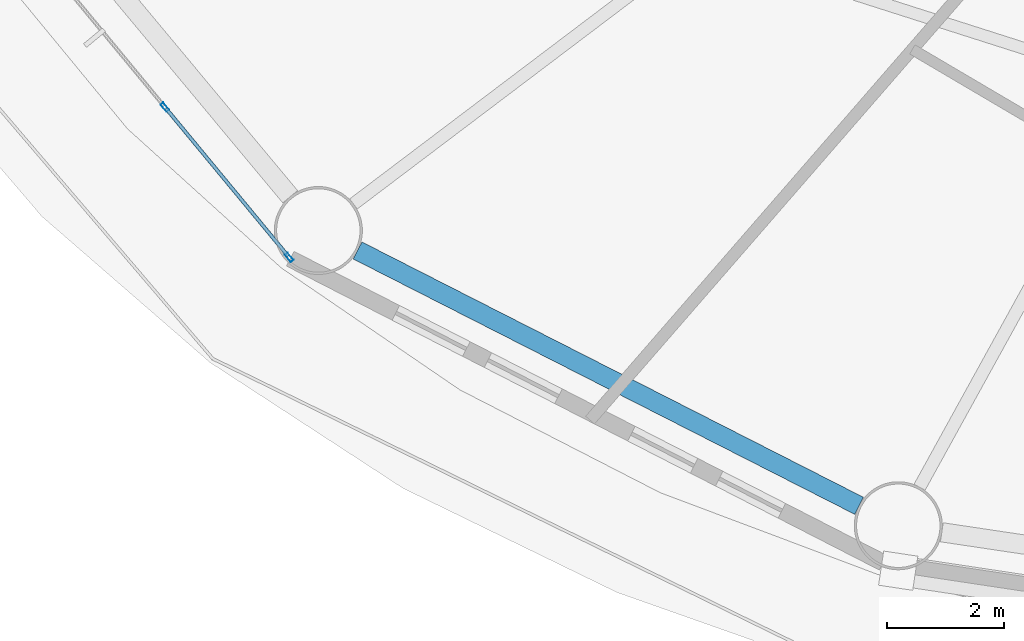
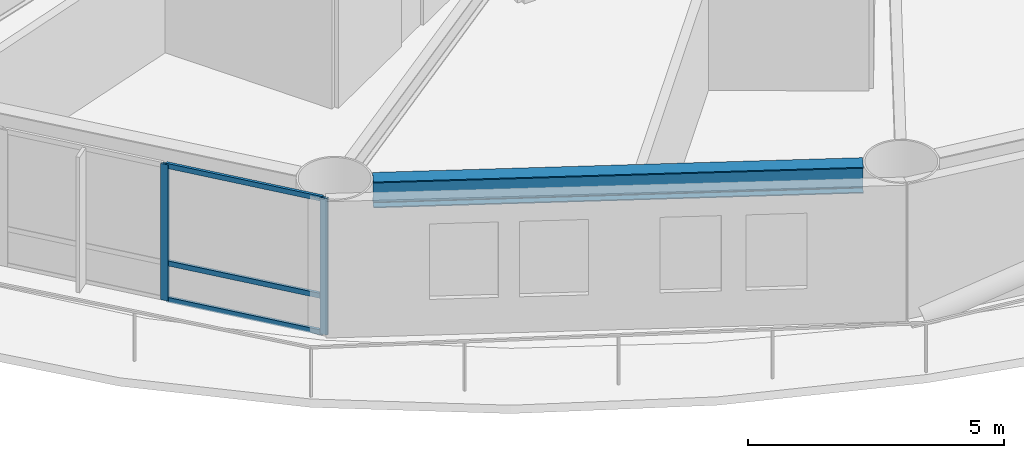
# One storey, part 2 of 27: 5 members, 1 beam, 1 element without a shape of its own.
"""IFC4 building model written with IfcOpenShell, lengths in metres."""

from ifc_helpers import new_model, si_unit, direction, frame, origin, origin_2d, place, context, subcontext, project, spatial, hollow_rectangle, i_section, extrude, material, layer, layer_set, material_profile, profile_set, type_object, element, aggregate, save


model = new_model("IFC4")

# Units and contexts
model_context = context("Model", 3, precision=1e-05, world=origin(), true_north=direction((0.0, 1.0)))
body_context = subcontext(model_context, "Body", "Model", "MODEL_VIEW")
ifc_project = project(units=[si_unit("LENGTHUNIT", "METRE"), si_unit("AREAUNIT", "SQUARE_METRE"), si_unit("VOLUMEUNIT", "CUBIC_METRE"), si_unit("PLANEANGLEUNIT", "RADIAN"), si_unit("MASSUNIT", "GRAM", prefix="KILO")], contexts=[model_context])

# Site, building, storey
site_placement = place(None, origin())
site = spatial("IfcSite", under=ifc_project, at=site_placement, CompositionType="ELEMENT")
building_placement = place(site_placement, origin())
building = spatial("IfcBuilding", under=site, at=building_placement, Name="Sarneth Arch Tower", CompositionType="ELEMENT")
storey_placement = place(building_placement, frame((0.0, 0.0, 75.0)))
storey = spatial("IfcBuildingStorey", under=building, at=storey_placement, Name="L18", CompositionType="ELEMENT", Elevation=75.0)

# Beam
ifc_material_1 = material(Name="Steel S355", Category="steel")
ifc_material_profile_1 = material_profile(ifc_material_1, i_section(OverallWidth=0.326904296875, OverallDepth=0.6220703125, WebThickness=0.015380859375, FlangeThickness=0.0244140625, FilletRadius=0.01904296875, at=origin_2d()), Name="W610x195")
ifc_profile_set_1 = profile_set([ifc_material_profile_1], Name="Steel S355")
beam_type = type_object("IfcBeamType", Name="BM-SPAN-610A", PredefinedType="SPANDREL", material=ifc_profile_set_1)
beam_placement = place(storey_placement, frame((26.9716796875, 25.2548828125, 2.93896484375), z_axis=(0.891169106887, -0.453671271882, 0.0), x_axis=(0.453671271882, 0.891169106887, 0.0)))
element("IfcBeam", 1, at=beam_placement, inside=storey, type_object=beam_type, Name="L18 Perimeter spandrel beam 11", PredefinedType="SPANDREL", context=body_context, shape_type="SweptSolid", body=[
    extrude(i_section(OverallWidth=0.326904296875, OverallDepth=0.6220703125, WebThickness=0.015380859375, FlangeThickness=0.0244140625, FilletRadius=0.01904296875, at=origin_2d()), origin(), (0.0, 0.0, 1.0), 9.58544921875),
])

# Curtain wall, members
ifc_material_2 = material(Name="Anodised aluminium Type AA25 and solar-control low-e laminated IGU", Category="aluminium")
ifc_layer = layer(ifc_material_2, 0.159912109375)
ifc_layer_set = layer_set([ifc_layer], Name="Anodised aluminium Type AA25 and solar-control low-e laminated IGU")
curtain_wall_type = type_object("IfcCurtainWallType", Name="CW-HOTEL-LOW", PredefinedType="NOTDEFINED", material=ifc_layer_set)
curtain_wall_placement = place(storey_placement, origin())
curtain_wall = element("IfcCurtainWall", 2, at=curtain_wall_placement, inside=storey, type_object=curtain_wall_type, Name="L18 Unitised curtain wall facet 10", PredefinedType="NOTDEFINED")
ifc_material_3 = material(Name="Anodised Aluminium 6063-T6", Category="aluminium")
ifc_material_profile_2 = material_profile(ifc_material_3, hollow_rectangle(XDim=0.06005859375, YDim=0.159912109375, WallThickness=0.00390625, at=origin_2d()), Name="AL-MULL-160x60x4")
ifc_profile_set_2 = profile_set([ifc_material_profile_2], Name="Anodised Aluminium 6063-T6")
member_type_1 = type_object("IfcMemberType", Name="CW-MULLION", PredefinedType="MULLION", material=ifc_profile_set_2)
member_1_placement = place(storey_placement, frame((23.690185546875, 27.69677734375, 0.0), z_axis=(0.0, 0.0, 1.0), x_axis=(0.770622960278, 0.637291340827, 0.0)))
member_1 = element("IfcMember", 3, at=member_1_placement, type_object=member_type_1, Name="CW-SYS-3 mullion 3", PredefinedType="MULLION", context=body_context, shape_type="SweptSolid", body=[
    extrude(hollow_rectangle(XDim=0.06005859375, YDim=0.159912109375, WallThickness=0.00390625, at=origin_2d()), origin(), (0.0, 0.0, 1.0), 3.25),
])
member_2_placement = place(storey_placement, frame((25.806640625, 25.137451171875, 0.0), z_axis=(0.0, 0.0, 1.0), x_axis=(0.770622960278, 0.637291340827, 0.0)))
member_2 = element("IfcMember", 4, at=member_2_placement, type_object=member_type_1, Name="CW-SYS-3 mullion 4", PredefinedType="MULLION", context=body_context, shape_type="SweptSolid", body=[
    extrude(hollow_rectangle(XDim=0.06005859375, YDim=0.159912109375, WallThickness=0.00390625, at=origin_2d()), origin(), (0.0, 0.0, 1.0), 3.25),
])
ifc_material_4 = material(Name="Anodised Aluminium 6063-T6", Category="aluminium")
ifc_material_profile_3 = material_profile(ifc_material_4, hollow_rectangle(XDim=0.06005859375, YDim=0.1201171875, WallThickness=0.00390625, at=origin_2d()), Name="AL-TRAN-120x60x4")
ifc_profile_set_3 = profile_set([ifc_material_profile_3], Name="Anodised Aluminium 6063-T6")
member_type_2 = type_object("IfcMemberType", Name="CW-TRANSOM", PredefinedType="USERDEFINED", material=ifc_profile_set_3)
member_3_placement = place(storey_placement, frame((23.70947265625, 27.673583984375, 0.030029296875), z_axis=(0.637285736625, -0.770627594817, 0.0), x_axis=(0.770627594817, 0.637285736625, 0.0)))
member_3 = element("IfcMember", 5, at=member_3_placement, type_object=member_type_2, Name="CW-SYS-3 transom 3.1", ObjectType="TRANSOM", PredefinedType="USERDEFINED", context=body_context, shape_type="SweptSolid", body=[
    extrude(hollow_rectangle(XDim=0.06005859375, YDim=0.1201171875, WallThickness=0.00390625, at=origin_2d()), origin(), (0.0, 0.0, 1.0), 3.260986328125),
])
member_4_placement = place(storey_placement, frame((23.70947265625, 27.673583984375, 0.89990234375), z_axis=(0.637285736625, -0.770627594817, 0.0), x_axis=(0.770627594817, 0.637285736625, 0.0)))
member_4 = element("IfcMember", 6, at=member_4_placement, type_object=member_type_2, Name="CW-SYS-3 transom 3.2", ObjectType="TRANSOM", PredefinedType="USERDEFINED", context=body_context, shape_type="SweptSolid", body=[
    extrude(hollow_rectangle(XDim=0.06005859375, YDim=0.1201171875, WallThickness=0.00390625, at=origin_2d()), origin(), (0.0, 0.0, 1.0), 3.260986328125),
])
member_5_placement = place(storey_placement, frame((23.70947265625, 27.673583984375, 3.219970703125), z_axis=(0.637285736625, -0.770627594817, 0.0), x_axis=(0.770627594817, 0.637285736625, 0.0)))
member_5 = element("IfcMember", 7, at=member_5_placement, type_object=member_type_2, Name="CW-SYS-3 transom 3.3", ObjectType="TRANSOM", PredefinedType="USERDEFINED", context=body_context, shape_type="SweptSolid", body=[
    extrude(hollow_rectangle(XDim=0.06005859375, YDim=0.1201171875, WallThickness=0.00390625, at=origin_2d()), origin(), (0.0, 0.0, 1.0), 3.260986328125),
])
aggregate(curtain_wall, [member_1, member_2, member_3, member_4, member_5])

save(model, "model.ifc")
